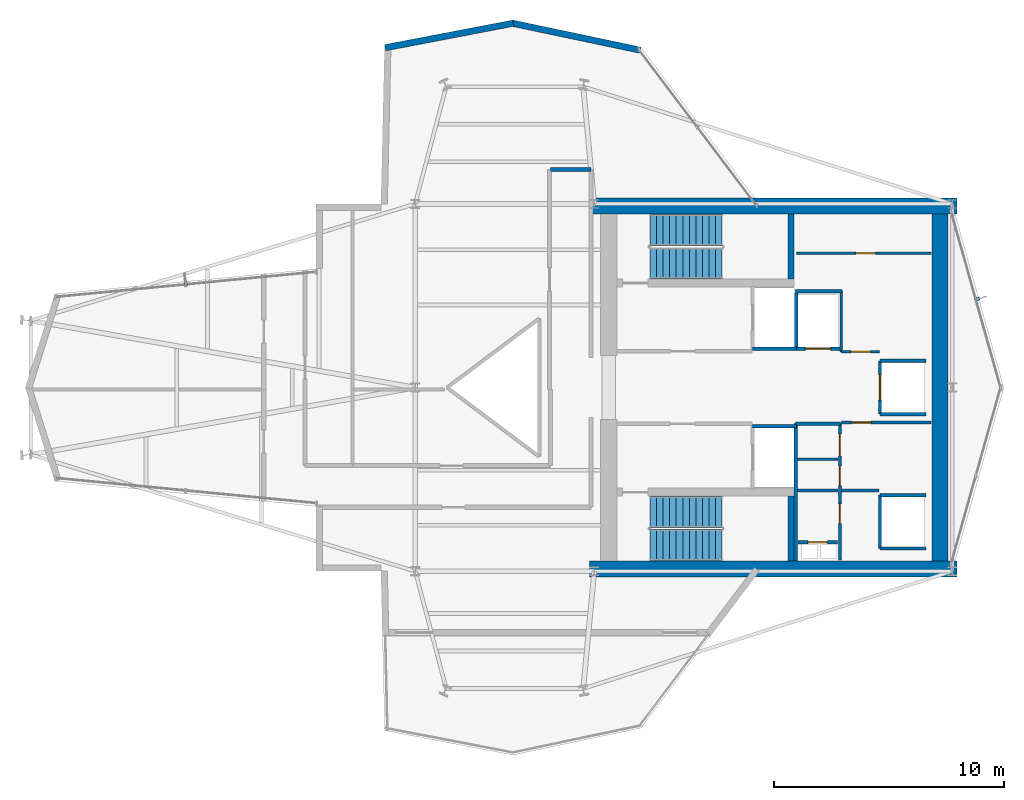
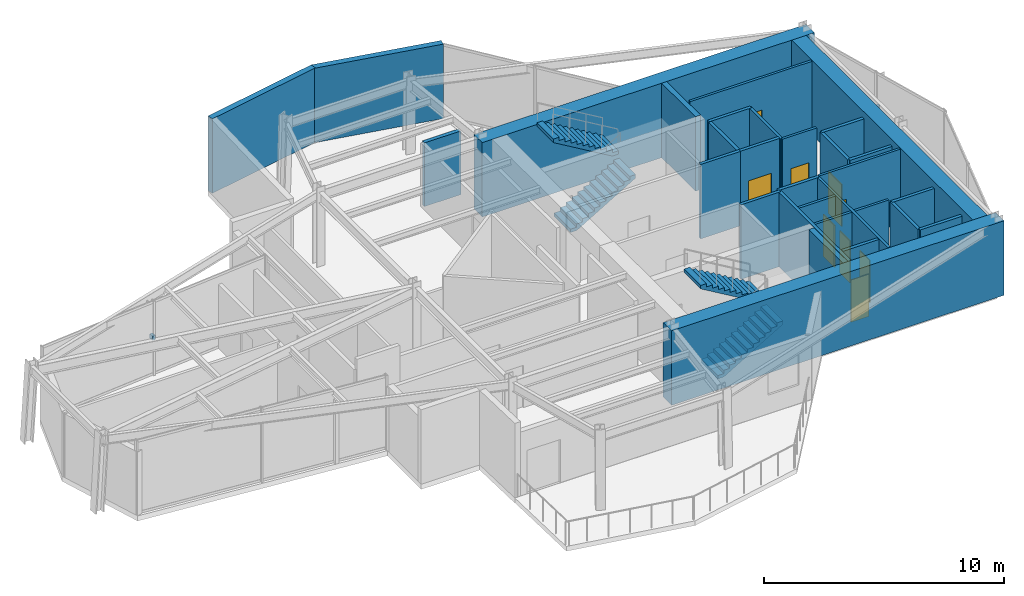
# One storey, part 19 of 21: 30 walls, 9 doors, 4 stair flights, 2 discrete accessories, 9 openings, 2 elements without a shape of their own.
"""IFC4 building model written with IfcOpenShell, lengths in metres."""

from ifc_helpers import new_model, si_unit, direction, frame, frame_2d, origin, origin_2d, place, context, subcontext, project, spatial, polyline, rectangle, outline, extrude, material, layer, layer_set, type_object, element, fill, aggregate, save


model = new_model("IFC4")

# Units and contexts
model_context = context("Model", 3, precision=1e-05, world=origin(), true_north=direction((0.0, 1.0)))
body_context = subcontext(model_context, "Body", "Model", "MODEL_VIEW")
ifc_project = project(units=[si_unit("LENGTHUNIT", "METRE"), si_unit("AREAUNIT", "SQUARE_METRE"), si_unit("VOLUMEUNIT", "CUBIC_METRE"), si_unit("PLANEANGLEUNIT", "RADIAN"), si_unit("MASSUNIT", "GRAM", prefix="KILO")], contexts=[model_context])

# Site, building, storey
site_placement = place(None, origin())
site = spatial("IfcSite", under=ifc_project, at=site_placement, CompositionType="ELEMENT")
building_placement = place(site_placement, origin())
building = spatial("IfcBuilding", under=site, at=building_placement, Name="Veymaron Broadcast Tower", CompositionType="ELEMENT")
storey_placement = place(building_placement, frame((0.0, 0.0, 240.449951171875)))
storey = spatial("IfcBuildingStorey", under=building, at=storey_placement, Name="L56", CompositionType="ELEMENT", Elevation=240.449951171875)

# Walls
ifc_material_1 = material(Name="Precast concrete C40/50", Category="concrete")
ifc_layer_1 = layer(ifc_material_1, 0.280029296875)
ifc_layer_set_1 = layer_set([ifc_layer_1], Name="Precast concrete C40/50")
wall_type_1 = type_object("IfcWallType", Name="WALL-EXT-280", PredefinedType="STANDARD", material=ifc_layer_set_1)
wall_1_placement = place(storey_placement, frame((41.005859375, 38.697021484375, 0.0), z_axis=(0.0, 0.0, 1.0), x_axis=(-0.978497551098, 0.206258436179, 0.0)))
element("IfcWall", 1, at=wall_1_placement, inside=storey, type_object=wall_type_1, Name="L56 notched corner facade pier 8-1", PredefinedType="STANDARD", context=body_context, shape_type="SweptSolid", body=[
    extrude(rectangle(XDim=5.70654296875, YDim=0.280029296875, at=frame_2d((2.853271484375, 0.0))), origin(), (0.0, 0.0, 1.0), 3.7900390625),
])
wall_2_placement = place(storey_placement, frame((35.477294921875, 39.87353515625, 0.0), z_axis=(0.0, 0.0, 1.0), x_axis=(-0.982127841111, -0.18821504646, 0.0)))
element("IfcWall", 2, at=wall_2_placement, inside=storey, type_object=wall_type_1, Name="L56 notched corner facade pier 9-1", PredefinedType="STANDARD", context=body_context, shape_type="SweptSolid", body=[
    extrude(rectangle(XDim=5.685302734375, YDim=0.280029296875, at=frame_2d((2.8427734375, 0.0))), origin(), (0.0, 0.0, 1.0), 3.7900390625),
])
ifc_material_2 = material(Name="Gypsum fireboard and steel stud framing", Category="steel")
ifc_layer_2 = layer(ifc_material_2, 0.14990234375)
ifc_layer_set_2 = layer_set([ifc_layer_2], Name="Gypsum fireboard and steel stud framing")
wall_type_2 = type_object("IfcWallType", Name="WALL-FIRE-150", PredefinedType="PARTITIONING", material=ifc_layer_set_2)
for number, where, z_axis, x_axis, name in (
    (3, (45.89501953125, 25.68994140625, 0.0), (0.0, 0.0, 1.0), (1.0, 0.0, 0.0), "L56 partition IW-L56-SHS-FFL-1"),
    (4, (45.89501953125, 22.31005859375, 0.0), (0.0, 0.0, 1.0), (1.0, 0.0, 0.0), "L56 partition IW-L56-SHN-FFL-2"),
):
    element("IfcWall", number, at=place(storey_placement, frame(where, z_axis=z_axis, x_axis=x_axis)), inside=storey, type_object=wall_type_2, Name=name, PredefinedType="PARTITIONING", context=body_context, shape_type="SweptSolid", body=[
        extrude(rectangle(XDim=1.9150390625, YDim=0.14990234375, at=frame_2d((0.95751953125, 0.0))), origin(), (0.0, 0.0, 1.0), 3.7900390625),
    ])

# Wall, opening, door
wall_3_placement = place(storey_placement, frame((47.7900390625, 25.695068359375, 0.0), z_axis=(0.0, 0.0, 1.0), x_axis=(1.0, 0.0, 0.0)))
wall_3 = element("IfcWall", 5, at=wall_3_placement, inside=storey, type_object=wall_type_2, Name="L56 partition IW-L56-SHS-SL-1", PredefinedType="PARTITIONING", context=body_context, shape_type="SweptSolid", body=[
    extrude(rectangle(XDim=1.919921875, YDim=0.14990234375, at=frame_2d((0.9599609375, 0.0))), origin(), (0.0, 0.0, 1.0), 3.7900390625),
])
opening_1_placement = place(wall_3_placement, frame((0.409912109375, 0.0, 0.0)))
opening_1 = element("IfcOpeningElement", 6, at=opening_1_placement, cuts=wall_3, Name="Opening LD", PredefinedType="OPENING", context=body_context, shape_type="SweptSolid", body=[
    extrude(rectangle(XDim=1.10009765625, YDim=2.14990234375, at=frame_2d((0.550048828125, 1.074951171875))), frame((0.0, 0.0849609375, 0.0), z_axis=(0.0, -1.0, 0.0), x_axis=(1.0, 0.0, 0.0)), (0.0, 0.0, 1.0), 0.169921875),
])
ifc_material_3 = material(Name="Brushed stainless steel AISI 304", Category="steel")
door_type_1 = type_object("IfcDoorType", Name="DOOR-LIFT-1100", OperationType="DOUBLE_DOOR_SLIDING", PredefinedType="DOOR", material=ifc_material_3)
door_1_placement = place(opening_1_placement, frame((1.10009765625, 0.0, 0.0), z_axis=(0.0, 0.0, 1.0), x_axis=(-1.0, 0.0, 0.0)))
door_1 = element("IfcDoor", 7, at=door_1_placement, inside=storey, type_object=door_type_1, Name="L56 door LD-L56-SL-1", OperationType="DOUBLE_DOOR_SLIDING", OverallHeight=2.14990234375, OverallWidth=1.10009765625, PredefinedType="DOOR", context=body_context, shape_type="SweptSolid", body=[
    extrude(rectangle(XDim=1.10009765625, YDim=2.14990234375, at=frame_2d((0.550048828125, 1.074951171875))), frame((0.0, 0.02490234375, 0.0), z_axis=(0.0, -1.0, 0.0), x_axis=(1.0, 0.0, 0.0)), (0.0, 0.0, 1.0), 0.050048828125),
])
fill(opening_1, door_1)

# Wall
wall_4_placement = place(storey_placement, frame((47.7900390625, 25.695068359375, 0.0), z_axis=(0.0, 0.0, 1.0), x_axis=(0.0, 1.0, 0.0)))
element("IfcWall", 8, at=wall_4_placement, inside=storey, type_object=wall_type_2, Name="L56 partition IW-L56-SHW-SL-1", PredefinedType="PARTITIONING", context=body_context, shape_type="SweptSolid", body=[
    extrude(rectangle(XDim=2.4150390625, YDim=0.14990234375, at=frame_2d((1.20751953125, 0.0))), origin(), (0.0, 0.0, 1.0), 3.7900390625),
])

# Wall, opening, door
wall_5_placement = place(storey_placement, frame((51.445068359375, 22.840087890625, 0.0), z_axis=(0.0, 0.0, 1.0), x_axis=(0.0, 1.0, 0.0)))
wall_5 = element("IfcWall", 9, at=wall_5_placement, inside=storey, type_object=wall_type_2, Name="L56 partition IW-L56-SHW-PM3", PredefinedType="PARTITIONING", context=body_context, shape_type="SweptSolid", body=[
    extrude(rectangle(XDim=2.31982421875, YDim=0.14990234375, at=frame_2d((1.159912109375, 0.0))), origin(), (0.0, 0.0, 1.0), 3.7900390625),
])
opening_2_placement = place(wall_5_placement, frame((0.610107421875, 0.0, 0.0)))
opening_2 = element("IfcOpeningElement", 10, at=opening_2_placement, cuts=wall_5, Name="Opening LD", PredefinedType="OPENING", context=body_context, shape_type="SweptSolid", body=[
    extrude(rectangle(XDim=1.10009765625, YDim=2.14990234375, at=frame_2d((0.550048828125, 1.074951171875))), frame((0.0, 0.0849609375, 0.0), z_axis=(0.0, -1.0, 0.0), x_axis=(1.0, 0.0, 0.0)), (0.0, 0.0, 1.0), 0.169921875),
])
door_2_placement = place(opening_2_placement, frame((1.10009765625, 0.0, 0.0), z_axis=(0.0, 0.0, 1.0), x_axis=(-1.0, 0.0, 0.0)))
door_2 = element("IfcDoor", 11, at=door_2_placement, inside=storey, type_object=door_type_1, Name="L56 door LD-L56-PM3", OperationType="DOUBLE_DOOR_SLIDING", OverallHeight=2.14990234375, OverallWidth=1.10009765625, PredefinedType="DOOR", context=body_context, shape_type="SweptSolid", body=[
    extrude(rectangle(XDim=1.10009765625, YDim=2.14990234375, at=frame_2d((0.550048828125, 1.074951171875))), frame((0.0, 0.02490234375, 0.0), z_axis=(0.0, -1.0, 0.0), x_axis=(1.0, 0.0, 0.0)), (0.0, 0.0, 1.0), 0.050048828125),
])
fill(opening_2, door_2)

# Walls
for number, where, z_axis, x_axis, name in (
    (12, (51.445068359375, 22.840087890625, 0.0), (0.0, 0.0, 1.0), (1.0, 0.0, 0.0), "L56 partition IW-L56-SHS-PM3"),
    (13, (51.445068359375, 25.159912109375, 0.0), (0.0, 0.0, 1.0), (1.0, 0.0, 0.0), "L56 partition IW-L56-SHN-PM3"),
):
    element("IfcWall", number, at=place(storey_placement, frame(where, z_axis=z_axis, x_axis=x_axis)), inside=storey, type_object=wall_type_2, Name=name, PredefinedType="PARTITIONING", context=body_context, shape_type="SweptSolid", body=[
        extrude(rectangle(XDim=2.014892578125, YDim=0.14990234375, at=frame_2d((1.00732421875, 0.0))), origin(), (0.0, 0.0, 1.0), 3.7900390625),
    ])
wall_6_placement = place(storey_placement, frame((51.445068359375, 16.989990234375, 0.0), z_axis=(0.0, 0.0, 1.0), x_axis=(0.0, 1.0, 0.0)))
element("IfcWall", 14, at=wall_6_placement, inside=storey, type_object=wall_type_2, Name="L56 partition IW-L56-SHW-PH1", PredefinedType="PARTITIONING", context=body_context, shape_type="SweptSolid", body=[
    extrude(rectangle(XDim=2.320068359375, YDim=0.14990234375, at=frame_2d((1.16015625, 0.0))), origin(), (0.0, 0.0, 1.0), 3.7900390625),
])
for number, where, z_axis, x_axis, name in (
    (15, (51.445068359375, 16.989990234375, 0.0), (0.0, 0.0, 1.0), (1.0, 0.0, 0.0), "L56 partition IW-L56-SHS-PH1"),
    (16, (51.445068359375, 19.31005859375, 0.0), (0.0, 0.0, 1.0), (1.0, 0.0, 0.0), "L56 partition IW-L56-SHN-PH1"),
):
    element("IfcWall", number, at=place(storey_placement, frame(where, z_axis=z_axis, x_axis=x_axis)), inside=storey, type_object=wall_type_2, Name=name, PredefinedType="PARTITIONING", context=body_context, shape_type="SweptSolid", body=[
        extrude(rectangle(XDim=2.014892578125, YDim=0.14990234375, at=frame_2d((1.00732421875, 0.0))), origin(), (0.0, 0.0, 1.0), 3.7900390625),
    ])

# Wall, opening, door
wall_7_placement = place(storey_placement, frame((47.8798828125, 17.260009765625, 0.0), z_axis=(0.0, 0.0, 1.0), x_axis=(1.0, 0.0, 0.0)))
wall_7 = element("IfcWall", 17, at=wall_7_placement, inside=storey, type_object=wall_type_2, Name="L56 partition IW-L56-RIS-N", PredefinedType="PARTITIONING", context=body_context, shape_type="SweptSolid", body=[
    extrude(rectangle(XDim=1.72021484375, YDim=0.14990234375, at=frame_2d((0.860107421875, 0.0))), origin(), (0.0, 0.0, 1.0), 3.7900390625),
])
opening_3_placement = place(wall_7_placement, frame((0.419921875, 0.0, 0.0)))
opening_3 = element("IfcOpeningElement", 18, at=opening_3_placement, cuts=wall_7, Name="Opening ID-RS1", PredefinedType="OPENING", context=body_context, shape_type="SweptSolid", body=[
    extrude(rectangle(XDim=0.85009765625, YDim=2.14990234375, at=frame_2d((0.425048828125, 1.074951171875))), frame((0.0, 0.0849609375, 0.0), z_axis=(0.0, -1.0, 0.0), x_axis=(1.0, 0.0, 0.0)), (0.0, 0.0, 1.0), 0.169921875),
])
ifc_material_4 = material(Name="Fire-rated powder-coated steel riser leaf", Category="steel")
door_type_2 = type_object("IfcDoorType", Name="DOOR-RIS-850", OperationType="NOTDEFINED", PredefinedType="TRAPDOOR", material=ifc_material_4)
door_3_placement = place(opening_3_placement, origin())
door_3 = element("IfcDoor", 19, at=door_3_placement, inside=storey, type_object=door_type_2, Name="L56 door DR-L56-RIS", OperationType="SINGLE_SWING_LEFT", OverallHeight=2.14990234375, OverallWidth=0.85009765625, PredefinedType="TRAPDOOR", context=body_context, shape_type="SweptSolid", body=[
    extrude(rectangle(XDim=0.85009765625, YDim=2.14990234375, at=frame_2d((0.425048828125, 1.074951171875))), frame((0.0, 0.02490234375, 0.0), z_axis=(0.0, -1.0, 0.0), x_axis=(1.0, 0.0, 0.0)), (0.0, 0.0, 1.0), 0.050048828125),
])
fill(opening_3, door_3)

# Walls
wall_8_placement = place(storey_placement, frame((47.760009765625, 22.425048828125, 0.0), z_axis=(0.0, 0.0, 1.0), x_axis=(1.0, 0.0, 0.0)))
element("IfcWall", 20, at=wall_8_placement, inside=storey, type_object=wall_type_2, Name="L56 partition IW-L56-SM-N", PredefinedType="PARTITIONING", context=body_context, shape_type="SweptSolid", body=[
    extrude(rectangle(XDim=1.9599609375, YDim=0.14990234375, at=frame_2d((0.97998046875, 0.0))), origin(), (0.0, 0.0, 1.0), 3.7900390625),
])
wall_9_placement = place(storey_placement, frame((47.780029296875, 16.449951171875, 0.0), z_axis=(0.0, 0.0, 1.0), x_axis=(0.0, 1.0, 0.0)))
element("IfcWall", 21, at=wall_9_placement, inside=storey, type_object=wall_type_2, Name="L56 partition IW-L56-SM-W", PredefinedType="PARTITIONING", context=body_context, shape_type="SweptSolid", body=[
    extrude(rectangle(XDim=5.97509765625, YDim=0.14990234375, at=frame_2d((2.987548828125, 0.0))), origin(), (0.0, 0.0, 1.0), 3.7900390625),
])
wall_10_placement = place(storey_placement, frame((47.760009765625, 28.199951171875, 0.0), z_axis=(0.0, 0.0, 1.0), x_axis=(1.0, 0.0, 0.0)))
element("IfcWall", 22, at=wall_10_placement, inside=storey, type_object=wall_type_2, Name="L56 partition IW-L56-F2-SW", PredefinedType="PARTITIONING", context=body_context, shape_type="SweptSolid", body=[
    extrude(rectangle(XDim=2.0400390625, YDim=0.14990234375, at=frame_2d((1.02001953125, 0.0))), origin(), (0.0, 0.0, 1.0), 3.7900390625),
])
ifc_material_5 = material(Name="Concrete C40/50", Category="concrete")
ifc_layer_3 = layer(ifc_material_5, 0.179931640625)
ifc_layer_set_3 = layer_set([ifc_layer_3], Name="Concrete C40/50")
wall_type_3 = type_object("IfcWallType", Name="WALL-FIRE-180", PredefinedType="SOLIDWALL", material=ifc_layer_set_3)
wall_11_placement = place(storey_placement, frame((37.10009765625, 33.5, 0.0), z_axis=(0.0, 0.0, 1.0), x_axis=(1.0, 0.0, 0.0)))
element("IfcWall", 23, at=wall_11_placement, inside=storey, type_object=wall_type_3, Name="L56 partition IW-L56-P11", PredefinedType="SOLIDWALL", context=body_context, shape_type="SweptSolid", body=[
    extrude(rectangle(XDim=1.75, YDim=0.179931640625, at=frame_2d((0.875, 0.0))), origin(), (0.0, 0.0, 1.0), 3.240966796875),
])
ifc_material_6 = material(Name="Acoustic gypsum board and galvanized stud", Category="gypsum")
ifc_layer_4 = layer(ifc_material_6, 0.1201171875)
ifc_layer_set_4 = layer_set([ifc_layer_4], Name="Acoustic gypsum board and galvanized stud")
wall_type_4 = type_object("IfcWallType", Name="WALL-PART-120", PredefinedType="PARTITIONING", material=ifc_layer_set_4)
for number, where, z_axis, x_axis, name in (
    (24, (47.860107421875, 19.52001953125, 0.0), (0.0, 0.0, 1.0), (1.0, 0.0, 0.0), "L56 partition IW-L56-SM-D1"),
    (25, (47.860107421875, 20.8798828125, 0.0), (0.0, 0.0, 1.0), (1.0, 0.0, 0.0), "L56 partition IW-L56-SM-D2"),
):
    element("IfcWall", number, at=place(storey_placement, frame(where, z_axis=z_axis, x_axis=x_axis)), inside=storey, type_object=wall_type_4, Name=name, PredefinedType="PARTITIONING", context=body_context, shape_type="SweptSolid", body=[
        extrude(rectangle(XDim=1.760009765625, YDim=0.1201171875, at=frame_2d((0.8798828125, 0.0))), origin(), (0.0, 0.0, 1.0), 3.7900390625),
    ])

# Wall, openings, doors
wall_12_placement = place(storey_placement, frame((49.699951171875, 16.47998046875, 0.0), z_axis=(0.0, 0.0, 1.0), x_axis=(0.0, 1.0, 0.0)))
wall_12 = element("IfcWall", 26, at=wall_12_placement, inside=storey, type_object=wall_type_4, Name="L56 partition IW-L56-SM-E", PredefinedType="PARTITIONING", context=body_context, shape_type="SweptSolid", body=[
    extrude(rectangle(XDim=5.945068359375, YDim=0.1201171875, at=frame_2d((2.97265625, 0.0))), origin(), (0.0, 0.0, 1.0), 3.7900390625),
])
opening_4_placement = place(wall_12_placement, frame((1.60009765625, 0.0, 0.0)))
opening_4 = element("IfcOpeningElement", 27, at=opening_4_placement, cuts=wall_12, Name="Opening ID-WC1", PredefinedType="OPENING", context=body_context, shape_type="SweptSolid", body=[
    extrude(rectangle(XDim=0.85009765625, YDim=2.14990234375, at=frame_2d((0.425048828125, 1.074951171875))), frame((0.0, 0.070068359375, 0.0), z_axis=(0.0, -1.0, 0.0), x_axis=(1.0, 0.0, 0.0)), (0.0, 0.0, 1.0), 0.14013671875),
])
opening_5_placement = place(wall_12_placement, frame((3.25, 0.0, 0.0)))
opening_5 = element("IfcOpeningElement", 28, at=opening_5_placement, cuts=wall_12, Name="Opening ID-WC1", PredefinedType="OPENING", context=body_context, shape_type="SweptSolid", body=[
    extrude(rectangle(XDim=0.85009765625, YDim=2.14990234375, at=frame_2d((0.425048828125, 1.074951171875))), frame((0.0, 0.070068359375, 0.0), z_axis=(0.0, -1.0, 0.0), x_axis=(1.0, 0.0, 0.0)), (0.0, 0.0, 1.0), 0.14013671875),
])
opening_6_placement = place(wall_12_placement, frame((4.550048828125, 0.0, 0.0)))
opening_6 = element("IfcOpeningElement", 29, at=opening_6_placement, cuts=wall_12, Name="Opening ID-RM1", PredefinedType="OPENING", context=body_context, shape_type="SweptSolid", body=[
    extrude(rectangle(XDim=0.949951171875, YDim=2.14990234375, at=frame_2d((0.47509765625, 1.074951171875))), frame((0.0, 0.070068359375, 0.0), z_axis=(0.0, -1.0, 0.0), x_axis=(1.0, 0.0, 0.0)), (0.0, 0.0, 1.0), 0.14013671875),
])
ifc_material_7 = material(Name="Moisture-resistant high-pressure laminate timber", Category="wood")
door_type_3 = type_object("IfcDoorType", Name="DOOR-INT-850", OperationType="NOTDEFINED", PredefinedType="DOOR", material=ifc_material_7)
door_4_placement = place(opening_4_placement, frame((0.85009765625, 0.0, 0.0), z_axis=(0.0, 0.0, 1.0), x_axis=(-1.0, 0.0, 0.0)))
door_4 = element("IfcDoor", 30, at=door_4_placement, inside=storey, type_object=door_type_3, Name="L56 door DR-L56-JST", OperationType="SINGLE_SWING_LEFT", OverallHeight=2.14990234375, OverallWidth=0.85009765625, PredefinedType="DOOR", context=body_context, shape_type="SweptSolid", body=[
    extrude(rectangle(XDim=0.85009765625, YDim=2.14990234375, at=frame_2d((0.425048828125, 1.074951171875))), frame((0.0, 0.02490234375, 0.0), z_axis=(0.0, -1.0, 0.0), x_axis=(1.0, 0.0, 0.0)), (0.0, 0.0, 1.0), 0.050048828125),
])
fill(opening_4, door_4)
door_5_placement = place(opening_5_placement, frame((0.85009765625, 0.0, 0.0), z_axis=(0.0, 0.0, 1.0), x_axis=(-1.0, 0.0, 0.0)))
door_5 = element("IfcDoor", 31, at=door_5_placement, inside=storey, type_object=door_type_3, Name="L56 door DR-L56-SWC", OperationType="SINGLE_SWING_RIGHT", OverallHeight=2.14990234375, OverallWidth=0.85009765625, PredefinedType="DOOR", context=body_context, shape_type="SweptSolid", body=[
    extrude(rectangle(XDim=0.85009765625, YDim=2.14990234375, at=frame_2d((0.425048828125, 1.074951171875))), frame((0.0, 0.02490234375, 0.0), z_axis=(0.0, -1.0, 0.0), x_axis=(1.0, 0.0, 0.0)), (0.0, 0.0, 1.0), 0.050048828125),
])
fill(opening_5, door_5)
ifc_material_8 = material(Name="Acoustic solid-core European oak veneer timber", Category="wood")
door_type_4 = type_object("IfcDoorType", Name="DOOR-INT-950", OperationType="NOTDEFINED", PredefinedType="DOOR", material=ifc_material_8)
door_6_placement = place(opening_6_placement, frame((0.949951171875, 0.0, 0.0), z_axis=(0.0, 0.0, 1.0), x_axis=(-1.0, 0.0, 0.0)))
door_6 = element("IfcDoor", 32, at=door_6_placement, inside=storey, type_object=door_type_4, Name="L56 door DR-L56-AWC", OperationType="SINGLE_SWING_LEFT", OverallHeight=2.14990234375, OverallWidth=0.949951171875, PredefinedType="DOOR", context=body_context, shape_type="SweptSolid", body=[
    extrude(rectangle(XDim=0.949951171875, YDim=2.14990234375, at=frame_2d((0.47509765625, 1.074951171875))), frame((0.0, 0.02490234375, 0.0), z_axis=(0.0, -1.0, 0.0), x_axis=(1.0, 0.0, 0.0)), (0.0, 0.0, 1.0), 0.050048828125),
])
fill(opening_6, door_6)

# Wall, opening, door
wall_13_placement = place(storey_placement, frame((49.760009765625, 22.47998046875, 0.0), z_axis=(0.0, 0.0, 1.0), x_axis=(1.0, 0.0, 0.0)))
wall_13 = element("IfcWall", 33, at=wall_13_placement, inside=storey, type_object=wall_type_4, Name="L56 partition IW-L56-F2S-N", PredefinedType="PARTITIONING", context=body_context, shape_type="SweptSolid", body=[
    extrude(rectangle(XDim=3.89990234375, YDim=0.1201171875, at=frame_2d((1.949951171875, 0.0))), origin(), (0.0, 0.0, 1.0), 3.7900390625),
])
opening_7_placement = place(wall_13_placement, frame((0.449951171875, 0.0, 0.0)))
opening_7 = element("IfcOpeningElement", 34, at=opening_7_placement, cuts=wall_13, Name="Opening ID-WC1", PredefinedType="OPENING", context=body_context, shape_type="SweptSolid", body=[
    extrude(rectangle(XDim=0.85009765625, YDim=2.14990234375, at=frame_2d((0.425048828125, 1.074951171875))), frame((0.0, 0.070068359375, 0.0), z_axis=(0.0, -1.0, 0.0), x_axis=(1.0, 0.0, 0.0)), (0.0, 0.0, 1.0), 0.14013671875),
])
door_7_placement = place(opening_7_placement, frame((0.85009765625, 0.0, 0.0), z_axis=(0.0, 0.0, 1.0), x_axis=(-1.0, 0.0, 0.0)))
door_7 = element("IfcDoor", 35, at=door_7_placement, inside=storey, type_object=door_type_3, Name="L56 door DR-L56-F2S", OperationType="SINGLE_SWING_LEFT", OverallHeight=2.14990234375, OverallWidth=0.85009765625, PredefinedType="DOOR", context=body_context, shape_type="SweptSolid", body=[
    extrude(rectangle(XDim=0.85009765625, YDim=2.14990234375, at=frame_2d((0.425048828125, 1.074951171875))), frame((0.0, 0.02490234375, 0.0), z_axis=(0.0, -1.0, 0.0), x_axis=(1.0, 0.0, 0.0)), (0.0, 0.0, 1.0), 0.050048828125),
])
fill(opening_7, door_7)

# Walls
wall_14_placement = place(storey_placement, frame((49.760009765625, 19.52001953125, 0.0), z_axis=(0.0, 0.0, 1.0), x_axis=(1.0, 0.0, 0.0)))
element("IfcWall", 36, at=wall_14_placement, inside=storey, type_object=wall_type_4, Name="L56 partition IW-L56-F2S-S", PredefinedType="PARTITIONING", context=body_context, shape_type="SweptSolid", body=[
    extrude(rectangle(XDim=1.639892578125, YDim=0.1201171875, at=frame_2d((0.81982421875, 0.0))), origin(), (0.0, 0.0, 1.0), 3.7900390625),
])
wall_15_placement = place(storey_placement, frame((49.760009765625, 25.56005859375, 0.0), z_axis=(0.0, 0.0, 1.0), x_axis=(0.0, 1.0, 0.0)))
element("IfcWall", 37, at=wall_15_placement, inside=storey, type_object=wall_type_4, Name="L56 partition IW-L56-F2-W1", PredefinedType="PARTITIONING", context=body_context, shape_type="SweptSolid", body=[
    extrude(rectangle(XDim=2.659912109375, YDim=0.1201171875, at=frame_2d((1.330078125, 0.0))), origin(), (0.0, 0.0, 1.0), 3.7900390625),
])

# Wall, opening, door
wall_16_placement = place(storey_placement, frame((49.760009765625, 25.56005859375, 0.0), z_axis=(0.0, 0.0, 1.0), x_axis=(1.0, 0.0, 0.0)))
wall_16 = element("IfcWall", 38, at=wall_16_placement, inside=storey, type_object=wall_type_4, Name="L56 partition IW-L56-F2-S", PredefinedType="PARTITIONING", context=body_context, shape_type="SweptSolid", body=[
    extrude(rectangle(XDim=1.659912109375, YDim=0.1201171875, at=frame_2d((0.830078125, 0.0))), origin(), (0.0, 0.0, 1.0), 3.7900390625),
])
opening_8_placement = place(wall_16_placement, frame((0.419921875, 0.0, 0.0)))
opening_8 = element("IfcOpeningElement", 39, at=opening_8_placement, cuts=wall_16, Name="Opening ID-WC1", PredefinedType="OPENING", context=body_context, shape_type="SweptSolid", body=[
    extrude(rectangle(XDim=0.85009765625, YDim=2.14990234375, at=frame_2d((0.425048828125, 1.074951171875))), frame((0.0, 0.070068359375, 0.0), z_axis=(0.0, -1.0, 0.0), x_axis=(1.0, 0.0, 0.0)), (0.0, 0.0, 1.0), 0.14013671875),
])
door_8_placement = place(opening_8_placement, origin())
door_8 = element("IfcDoor", 40, at=door_8_placement, inside=storey, type_object=door_type_3, Name="L56 door DR-L56-F2A", OperationType="SINGLE_SWING_LEFT", OverallHeight=2.14990234375, OverallWidth=0.85009765625, PredefinedType="DOOR", context=body_context, shape_type="SweptSolid", body=[
    extrude(rectangle(XDim=0.85009765625, YDim=2.14990234375, at=frame_2d((0.425048828125, 1.074951171875))), frame((0.0, 0.02490234375, 0.0), z_axis=(0.0, -1.0, 0.0), x_axis=(1.0, 0.0, 0.0)), (0.0, 0.0, 1.0), 0.050048828125),
])
fill(opening_8, door_8)

wall_17_placement = place(storey_placement, frame((47.800048828125, 29.85009765625, 0.0), z_axis=(0.0, 0.0, 1.0), x_axis=(1.0, 0.0, 0.0)))
wall_17 = element("IfcWall", 41, at=wall_17_placement, inside=storey, type_object=wall_type_4, Name="L56 partition IW-L56-F2-M", PredefinedType="PARTITIONING", context=body_context, shape_type="SweptSolid", body=[
    extrude(rectangle(XDim=5.85986328125, YDim=0.1201171875, at=frame_2d((2.929931640625, 0.0))), origin(), (0.0, 0.0, 1.0), 3.7900390625),
])
opening_9_placement = place(wall_17_placement, frame((2.60009765625, 0.0, 0.0)))
opening_9 = element("IfcOpeningElement", 42, at=opening_9_placement, cuts=wall_17, Name="Opening ID-WC1", PredefinedType="OPENING", context=body_context, shape_type="SweptSolid", body=[
    extrude(rectangle(XDim=0.85009765625, YDim=2.14990234375, at=frame_2d((0.425048828125, 1.074951171875))), frame((0.0, 0.070068359375, 0.0), z_axis=(0.0, -1.0, 0.0), x_axis=(1.0, 0.0, 0.0)), (0.0, 0.0, 1.0), 0.14013671875),
])
door_9_placement = place(opening_9_placement, origin())
door_9 = element("IfcDoor", 43, at=door_9_placement, inside=storey, type_object=door_type_3, Name="L56 door DR-L56-F2B", OperationType="SINGLE_SWING_LEFT", OverallHeight=2.14990234375, OverallWidth=0.85009765625, PredefinedType="DOOR", context=body_context, shape_type="SweptSolid", body=[
    extrude(rectangle(XDim=0.85009765625, YDim=2.14990234375, at=frame_2d((0.425048828125, 1.074951171875))), frame((0.0, 0.02490234375, 0.0), z_axis=(0.0, -1.0, 0.0), x_axis=(1.0, 0.0, 0.0)), (0.0, 0.0, 1.0), 0.050048828125),
])
fill(opening_9, door_9)

# Walls
ifc_material_9 = material(Name="Concrete C50/60", Category="concrete")
ifc_layer_5 = layer(ifc_material_9, 0.25)
ifc_layer_set_5 = layer_set([ifc_layer_5], Name="Concrete C50/60")
wall_type_5 = type_object("IfcWallType", Name="WALL-SHEAR-250", PredefinedType="SHEAR", material=ifc_layer_set_5)
for number, where, z_axis, x_axis, name in (
    (44, (47.56494140625, 28.72998046875, 0.0), (0.0, 0.0, 1.0), (0.0, 1.0, 0.0), "L56 Core Wall north stair east shear"),
    (45, (47.56494140625, 16.449951171875, 0.0), (0.0, 0.0, 1.0), (0.0, 1.0, 0.0), "L56 Core Wall south stair east shear"),
):
    element("IfcWall", number, at=place(storey_placement, frame(where, z_axis=z_axis, x_axis=x_axis)), inside=storey, type_object=wall_type_5, Name=name, PredefinedType="SHEAR", context=body_context, shape_type="SweptSolid", body=[
        extrude(rectangle(XDim=2.820068359375, YDim=0.25, at=frame_2d((1.41015625, 0.0))), origin(), (0.0, 0.0, 1.0), 3.7900390625),
    ])
ifc_material_10 = material(Name="Concrete C60/75", Category="concrete")
ifc_layer_6 = layer(ifc_material_10, 0.699951171875)
ifc_layer_set_6 = layer_set([ifc_layer_6], Name="Concrete C60/75")
wall_type_6 = type_object("IfcWallType", Name="WALL-SHEAR-700", PredefinedType="SHEAR", material=ifc_layer_set_6)
for number, where, z_axis, x_axis, name in (
    (46, (38.800048828125, 31.89990234375, 0.0), (0.0, 0.0, 1.0), (1.0, 0.0, 0.0), "L56 Core Wall north shear"),
    (47, (38.800048828125, 16.10009765625, 0.0), (0.0, 0.0, 1.0), (1.0, 0.0, 0.0), "L56 Core Wall south shear"),
):
    element("IfcWall", number, at=place(storey_placement, frame(where, z_axis=z_axis, x_axis=x_axis)), inside=storey, type_object=wall_type_6, Name=name, PredefinedType="SHEAR", context=body_context, shape_type="SweptSolid", body=[
        extrude(rectangle(XDim=16.0, YDim=0.699951171875, at=frame_2d((8.0, 0.0))), origin(), (0.0, 0.0, 1.0), 3.7900390625),
    ])
wall_18_placement = place(storey_placement, frame((54.050048828125, 16.449951171875, 0.0), z_axis=(0.0, 0.0, 1.0), x_axis=(0.0, 1.0, 0.0)))
element("IfcWall", 48, at=wall_18_placement, inside=storey, type_object=wall_type_6, Name="L56 Core Wall east shear", PredefinedType="SHEAR", context=body_context, shape_type="SweptSolid", body=[
    extrude(rectangle(XDim=15.10009765625, YDim=0.699951171875, at=frame_2d((7.550048828125, 0.0))), origin(), (0.0, 0.0, 1.0), 3.7900390625),
])

# Stair, stair flights
stair_type_1 = type_object("IfcStairType", Name="STAIR-CORE-1", PredefinedType="HALF_TURN_STAIR", material=ifc_material_9)
stair_1_placement = place(storey_placement, origin())
stair_1 = element("IfcStair", 49, at=stair_1_placement, inside=storey, type_object=stair_type_1, Name="L56 North protected dog-leg exit stair ST1", PredefinedType="HALF_TURN_STAIR")
ifc_material_11 = material(Name="Precast concrete C50/60", Category="concrete")
stair_flight_type = type_object("IfcStairFlightType", Name="FLT-CORE-RC", PredefinedType="STRAIGHT", material=ifc_material_11)
stair_flight_1_placement = place(storey_placement, frame((41.429931640625, 29.419921875, 0.0), z_axis=(0.0, 0.0, 1.0), x_axis=(1.0, 0.0, 0.0)))
stair_flight_1 = element("IfcStairFlight", 50, at=stair_flight_1_placement, type_object=stair_flight_type, Name="ST1 flight 1", NumberOfRisers=12, NumberOfTreads=11, PredefinedType="STRAIGHT", RiserHeight=0.16875, TreadLength=0.285, context=body_context, shape_type="SweptSolid", body=[
    extrude(outline(polyline([(0.0, 0.0), (0.0, 0.168701171875), (0.284912109375, 0.168701171875), (0.284912109375, 0.33740234375), (0.570068359375, 0.33740234375), (0.570068359375, 0.50634765625), (0.85498046875, 0.50634765625), (0.85498046875, 0.675048828125), (1.139892578125, 0.675048828125), (1.139892578125, 0.84375), (1.425048828125, 0.84375), (1.425048828125, 1.012451171875), (1.7099609375, 1.012451171875), (1.7099609375, 1.18115234375), (1.9951171875, 1.18115234375), (1.9951171875, 1.35009765625), (2.280029296875, 1.35009765625), (2.280029296875, 1.518798828125), (2.56494140625, 1.518798828125), (2.56494140625, 1.6875), (2.85009765625, 1.6875), (2.85009765625, 1.856201171875), (3.135009765625, 1.856201171875), (3.135009765625, 2.02490234375), (3.135009765625, 1.68212890625), (0.294189453125, 0.0), (0.0, 0.0)])), frame((0.0, 0.68994140625, 0.0), z_axis=(0.0, -1.0, 0.0), x_axis=(1.0, 0.0, 0.0)), (0.0, 0.0, 1.0), 1.3798828125),
])
stair_flight_2_placement = place(storey_placement, frame((44.56494140625, 30.860107421875, 2.025146484375), z_axis=(0.0, 0.0, 1.0), x_axis=(-1.0, 0.0, 0.0)))
stair_flight_2 = element("IfcStairFlight", 51, at=stair_flight_2_placement, type_object=stair_flight_type, Name="ST1 flight 2", NumberOfRisers=12, NumberOfTreads=11, PredefinedType="STRAIGHT", RiserHeight=0.16875, TreadLength=0.285, context=body_context, shape_type="SweptSolid", body=[
    extrude(outline(polyline([(0.0, 0.0), (0.0, 0.168701171875), (0.284912109375, 0.168701171875), (0.284912109375, 0.33740234375), (0.570068359375, 0.33740234375), (0.570068359375, 0.50634765625), (0.85498046875, 0.50634765625), (0.85498046875, 0.675048828125), (1.139892578125, 0.675048828125), (1.139892578125, 0.84375), (1.425048828125, 0.84375), (1.425048828125, 1.012451171875), (1.7099609375, 1.012451171875), (1.7099609375, 1.18115234375), (1.9951171875, 1.18115234375), (1.9951171875, 1.35009765625), (2.280029296875, 1.35009765625), (2.280029296875, 1.518798828125), (2.56494140625, 1.518798828125), (2.56494140625, 1.6875), (2.85009765625, 1.6875), (2.85009765625, 1.856201171875), (3.135009765625, 1.856201171875), (3.135009765625, 2.02490234375), (3.135009765625, 1.68212890625), (0.294189453125, 0.0), (0.0, 0.0)])), frame((0.0, 0.68994140625, 0.0), z_axis=(0.0, -1.0, 0.0), x_axis=(1.0, 0.0, 0.0)), (0.0, 0.0, 1.0), 1.3798828125),
])
aggregate(stair_1, [stair_flight_1, stair_flight_2])

stair_type_2 = type_object("IfcStairType", Name="STAIR-CORE-2", PredefinedType="HALF_TURN_STAIR", material=ifc_material_9)
stair_2_placement = place(storey_placement, origin())
stair_2 = element("IfcStair", 52, at=stair_2_placement, inside=storey, type_object=stair_type_2, Name="L56 South protected dog-leg exit stair ST2", PredefinedType="HALF_TURN_STAIR")
stair_flight_3_placement = place(storey_placement, frame((41.429931640625, 17.139892578125, 0.0), z_axis=(0.0, 0.0, 1.0), x_axis=(1.0, 0.0, 0.0)))
stair_flight_3 = element("IfcStairFlight", 53, at=stair_flight_3_placement, type_object=stair_flight_type, Name="ST2 flight 1", NumberOfRisers=12, NumberOfTreads=11, PredefinedType="STRAIGHT", RiserHeight=0.16875, TreadLength=0.285, context=body_context, shape_type="SweptSolid", body=[
    extrude(outline(polyline([(0.0, 0.0), (0.0, 0.168701171875), (0.284912109375, 0.168701171875), (0.284912109375, 0.33740234375), (0.570068359375, 0.33740234375), (0.570068359375, 0.50634765625), (0.85498046875, 0.50634765625), (0.85498046875, 0.675048828125), (1.139892578125, 0.675048828125), (1.139892578125, 0.84375), (1.425048828125, 0.84375), (1.425048828125, 1.012451171875), (1.7099609375, 1.012451171875), (1.7099609375, 1.18115234375), (1.9951171875, 1.18115234375), (1.9951171875, 1.35009765625), (2.280029296875, 1.35009765625), (2.280029296875, 1.518798828125), (2.56494140625, 1.518798828125), (2.56494140625, 1.6875), (2.85009765625, 1.6875), (2.85009765625, 1.856201171875), (3.135009765625, 1.856201171875), (3.135009765625, 2.02490234375), (3.135009765625, 1.68212890625), (0.294189453125, 0.0), (0.0, 0.0)])), frame((0.0, 0.68994140625, 0.0), z_axis=(0.0, -1.0, 0.0), x_axis=(1.0, 0.0, 0.0)), (0.0, 0.0, 1.0), 1.3798828125),
])
stair_flight_4_placement = place(storey_placement, frame((44.56494140625, 18.580078125, 2.025146484375), z_axis=(0.0, 0.0, 1.0), x_axis=(-1.0, 0.0, 0.0)))
stair_flight_4 = element("IfcStairFlight", 54, at=stair_flight_4_placement, type_object=stair_flight_type, Name="ST2 flight 2", NumberOfRisers=12, NumberOfTreads=11, PredefinedType="STRAIGHT", RiserHeight=0.16875, TreadLength=0.285, context=body_context, shape_type="SweptSolid", body=[
    extrude(outline(polyline([(0.0, 0.0), (0.0, 0.168701171875), (0.284912109375, 0.168701171875), (0.284912109375, 0.33740234375), (0.570068359375, 0.33740234375), (0.570068359375, 0.50634765625), (0.85498046875, 0.50634765625), (0.85498046875, 0.675048828125), (1.139892578125, 0.675048828125), (1.139892578125, 0.84375), (1.425048828125, 0.84375), (1.425048828125, 1.012451171875), (1.7099609375, 1.012451171875), (1.7099609375, 1.18115234375), (1.9951171875, 1.18115234375), (1.9951171875, 1.35009765625), (2.280029296875, 1.35009765625), (2.280029296875, 1.518798828125), (2.56494140625, 1.518798828125), (2.56494140625, 1.6875), (2.85009765625, 1.6875), (2.85009765625, 1.856201171875), (3.135009765625, 1.856201171875), (3.135009765625, 2.02490234375), (3.135009765625, 1.68212890625), (0.294189453125, 0.0), (0.0, 0.0)])), frame((0.0, 0.68994140625, 0.0), z_axis=(0.0, -1.0, 0.0), x_axis=(1.0, 0.0, 0.0)), (0.0, 0.0, 1.0), 1.3798828125),
])
aggregate(stair_2, [stair_flight_3, stair_flight_4])

# Discrete accessories
ifc_material_12 = material(Name="Austenitic stainless steel AISI 316L", Category="steel")
ifc_layer_7 = layer(ifc_material_12, 0.1201171875)
ifc_layer_set_7 = layer_set([ifc_layer_7], Name="Austenitic stainless steel AISI 316L")
discrete_accessory_type = type_object("IfcDiscreteAccessoryType", Name="ACC-BRKT-SS1", PredefinedType="BRACKET", material=ifc_layer_set_7)
for number, where, z_axis, x_axis, name in (
    (55, (55.680419921875, 27.857177734375, 1.78515625), (0.0, 0.0, 1.0), (0.962743680241, 0.270415617443, 0.0), "CW-L56-E5-1 fin bracket 1"),
    (56, (21.20166015625, 28.548583984375, 1.78515625), (0.0, 0.0, 1.0), (-0.09581100658, 0.995399543409, 0.0), "CW-L56-E13-1 fin bracket 1"),
):
    element("IfcDiscreteAccessory", number, at=place(storey_placement, frame(where, z_axis=z_axis, x_axis=x_axis)), inside=storey, type_object=discrete_accessory_type, Name=name, PredefinedType="BRACKET", context=body_context, shape_type="SweptSolid", body=[
        extrude(rectangle(XDim=0.219970703125, YDim=0.139892578125, at=origin_2d()), origin(), (0.0, 0.0, 1.0), 0.219970703125),
    ])

save(model, "model.ifc")
